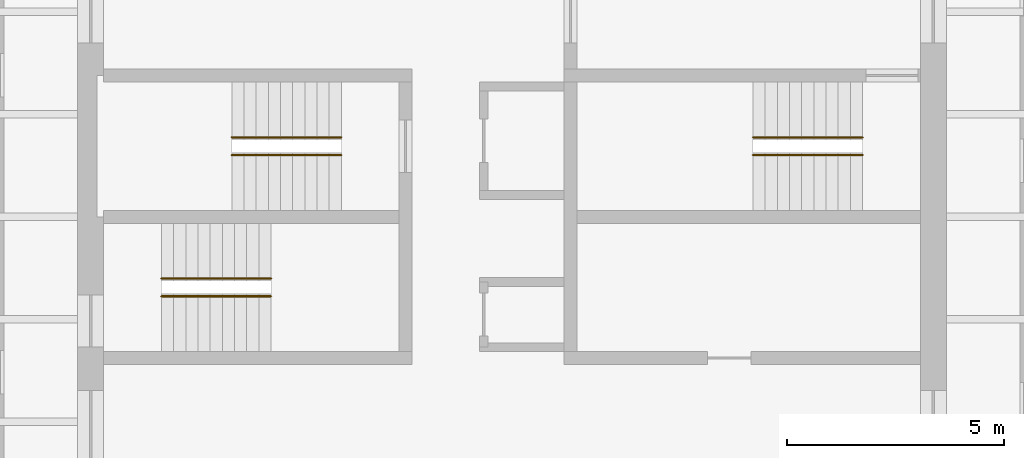
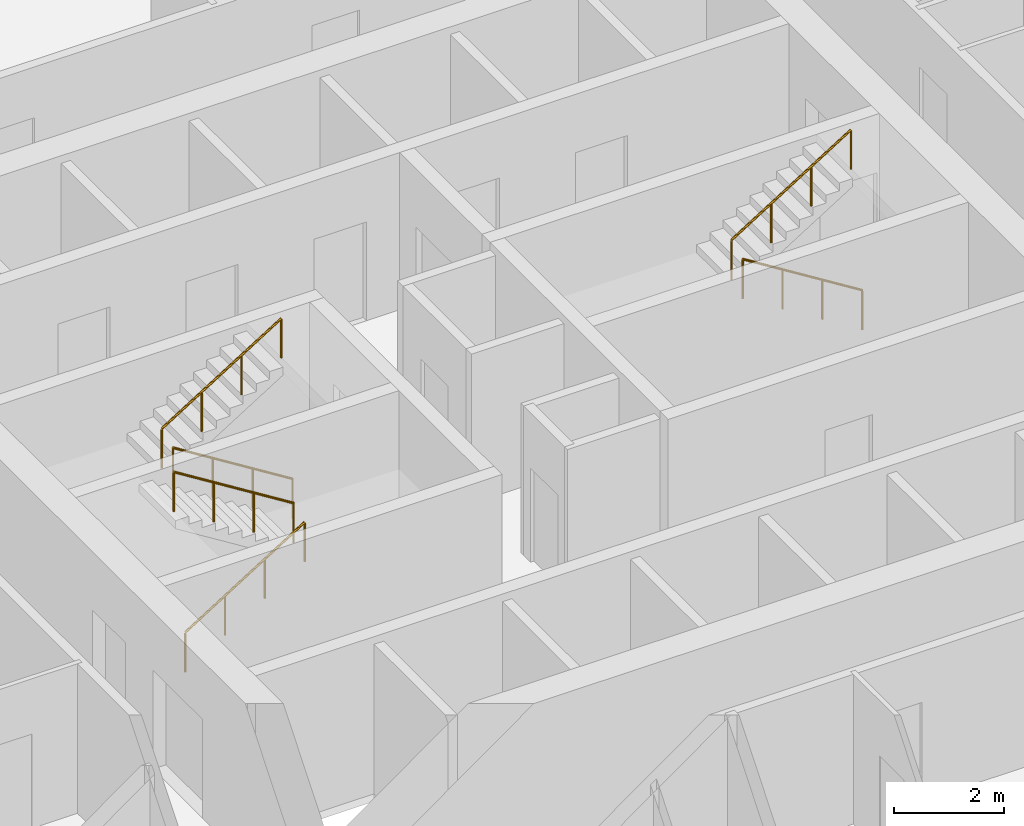
# One storey, part 9 of 9: 6 railings.
"""IFC4 building model written with IfcOpenShell, lengths in metres."""

from ifc_helpers import new_model, si_unit, direction, frame, origin, origin_2d, place, context, subcontext, project, spatial, circle, extrude, material, type_object, element, save


model = new_model("IFC4")

# Units and contexts
model_context = context("Model", 3, precision=1e-05, world=origin(), true_north=direction((0.0, 1.0)))
body_context = subcontext(model_context, "Body", "Model", "MODEL_VIEW")
ifc_project = project(units=[si_unit("LENGTHUNIT", "METRE"), si_unit("AREAUNIT", "SQUARE_METRE"), si_unit("VOLUMEUNIT", "CUBIC_METRE"), si_unit("PLANEANGLEUNIT", "RADIAN"), si_unit("MASSUNIT", "GRAM", prefix="KILO")], contexts=[model_context])

# Site, building, storey
site_placement = place(None, origin())
site = spatial("IfcSite", under=ifc_project, at=site_placement, CompositionType="ELEMENT")
building_placement = place(site_placement, origin())
building = spatial("IfcBuilding", under=site, at=building_placement, Name="Turquesa Mirador Hotel Tower", CompositionType="ELEMENT")
storey_placement = place(building_placement, frame((0.0, 0.0, 107.39990234375)))
storey = spatial("IfcBuildingStorey", under=building, at=storey_placement, Name="L28", CompositionType="ELEMENT", Elevation=107.39990234375)

# Railings
ifc_material = material(Name="Painted steel handrail", Category="steel")
railing_type = type_object("IfcRailingType", Name="HANDRAIL 900 STEEL", PredefinedType="HANDRAIL", material=ifc_material)
railing_1_placement = place(storey_placement, frame((51.070068359375, 46.419921875, 0.175048828125)))
element("IfcRailing", 1, at=railing_1_placement, inside=storey, type_object=railing_type, Name="Handrail ST1", PredefinedType="HANDRAIL", context=body_context, shape_type="SweptSolid", body=[
    extrude(circle(Radius=0.02392578125, at=origin_2d()), frame((0.0, 0.0, 0.8759765625), z_axis=(-0.848007534815, 0.0, 0.529984170421), x_axis=(0.0, -1.0, 0.0)), (0.0, 0.0, 1.0), 2.9716796875),
    extrude(circle(Radius=0.02099609375, at=origin_2d()), origin(), (0.0, 0.0, 1.0), 0.851806640625),
    extrude(circle(Radius=0.02099609375, at=origin_2d()), frame((-0.840087890625, 0.0, 0.52490234375)), (0.0, 0.0, 1.0), 0.851806640625),
    extrude(circle(Radius=0.02099609375, at=origin_2d()), frame((-1.679931640625, 0.0, 1.050048828125)), (0.0, 0.0, 1.0), 0.851806640625),
    extrude(circle(Radius=0.02099609375, at=origin_2d()), frame((-2.52001953125, 0.0, 1.574951171875)), (0.0, 0.0, 1.0), 0.851806640625),
])
for number, where, name in (
    (2, (48.550048828125, 46.830078125, 1.925048828125), "Handrail ST1"),
    (3, (46.929931640625, 43.169921875, 0.175048828125), "Handrail ST2"),
):
    element("IfcRailing", number, at=place(storey_placement, frame(where)), inside=storey, type_object=railing_type, Name=name, PredefinedType="HANDRAIL", context=body_context, shape_type="SweptSolid", body=[
        extrude(circle(Radius=0.02392578125, at=origin_2d()), frame((0.0, 0.0, 0.8759765625), z_axis=(0.848007534815, 0.0, 0.529984170421), x_axis=(0.0, 1.0, 0.0)), (0.0, 0.0, 1.0), 2.9716796875),
        extrude(circle(Radius=0.02099609375, at=origin_2d()), origin(), (0.0, 0.0, 1.0), 0.851806640625),
        extrude(circle(Radius=0.02099609375, at=origin_2d()), frame((0.840087890625, 0.0, 0.52490234375)), (0.0, 0.0, 1.0), 0.851806640625),
        extrude(circle(Radius=0.02099609375, at=origin_2d()), frame((1.679931640625, 0.0, 1.050048828125)), (0.0, 0.0, 1.0), 0.851806640625),
        extrude(circle(Radius=0.02099609375, at=origin_2d()), frame((2.52001953125, 0.0, 1.574951171875)), (0.0, 0.0, 1.0), 0.851806640625),
    ])
for number, where, name in (
    (4, (49.449951171875, 43.580078125, 1.925048828125), "Handrail ST2"),
    (5, (63.070068359375, 46.419921875, 0.175048828125), "Handrail ST3"),
):
    element("IfcRailing", number, at=place(storey_placement, frame(where)), inside=storey, type_object=railing_type, Name=name, PredefinedType="HANDRAIL", context=body_context, shape_type="SweptSolid", body=[
        extrude(circle(Radius=0.02392578125, at=origin_2d()), frame((0.0, 0.0, 0.8759765625), z_axis=(-0.848007534815, 0.0, 0.529984170421), x_axis=(0.0, -1.0, 0.0)), (0.0, 0.0, 1.0), 2.9716796875),
        extrude(circle(Radius=0.02099609375, at=origin_2d()), origin(), (0.0, 0.0, 1.0), 0.851806640625),
        extrude(circle(Radius=0.02099609375, at=origin_2d()), frame((-0.840087890625, 0.0, 0.52490234375)), (0.0, 0.0, 1.0), 0.851806640625),
        extrude(circle(Radius=0.02099609375, at=origin_2d()), frame((-1.679931640625, 0.0, 1.050048828125)), (0.0, 0.0, 1.0), 0.851806640625),
        extrude(circle(Radius=0.02099609375, at=origin_2d()), frame((-2.52001953125, 0.0, 1.574951171875)), (0.0, 0.0, 1.0), 0.851806640625),
    ])
railing_2_placement = place(storey_placement, frame((60.550048828125, 46.830078125, 1.925048828125)))
element("IfcRailing", 6, at=railing_2_placement, inside=storey, type_object=railing_type, Name="Handrail ST3", PredefinedType="HANDRAIL", context=body_context, shape_type="SweptSolid", body=[
    extrude(circle(Radius=0.02392578125, at=origin_2d()), frame((0.0, 0.0, 0.8759765625), z_axis=(0.848007534815, 0.0, 0.529984170421), x_axis=(0.0, 1.0, 0.0)), (0.0, 0.0, 1.0), 2.9716796875),
    extrude(circle(Radius=0.02099609375, at=origin_2d()), origin(), (0.0, 0.0, 1.0), 0.851806640625),
    extrude(circle(Radius=0.02099609375, at=origin_2d()), frame((0.840087890625, 0.0, 0.52490234375)), (0.0, 0.0, 1.0), 0.851806640625),
    extrude(circle(Radius=0.02099609375, at=origin_2d()), frame((1.679931640625, 0.0, 1.050048828125)), (0.0, 0.0, 1.0), 0.851806640625),
    extrude(circle(Radius=0.02099609375, at=origin_2d()), frame((2.52001953125, 0.0, 1.574951171875)), (0.0, 0.0, 1.0), 0.851806640625),
])

save(model, "model.ifc")
